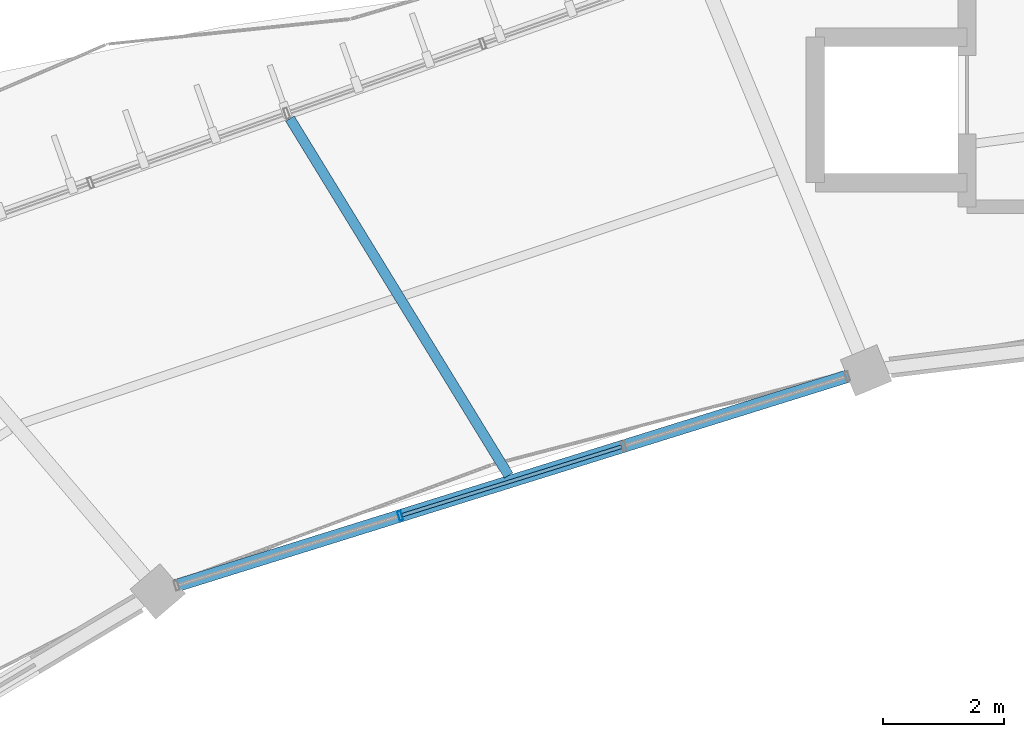
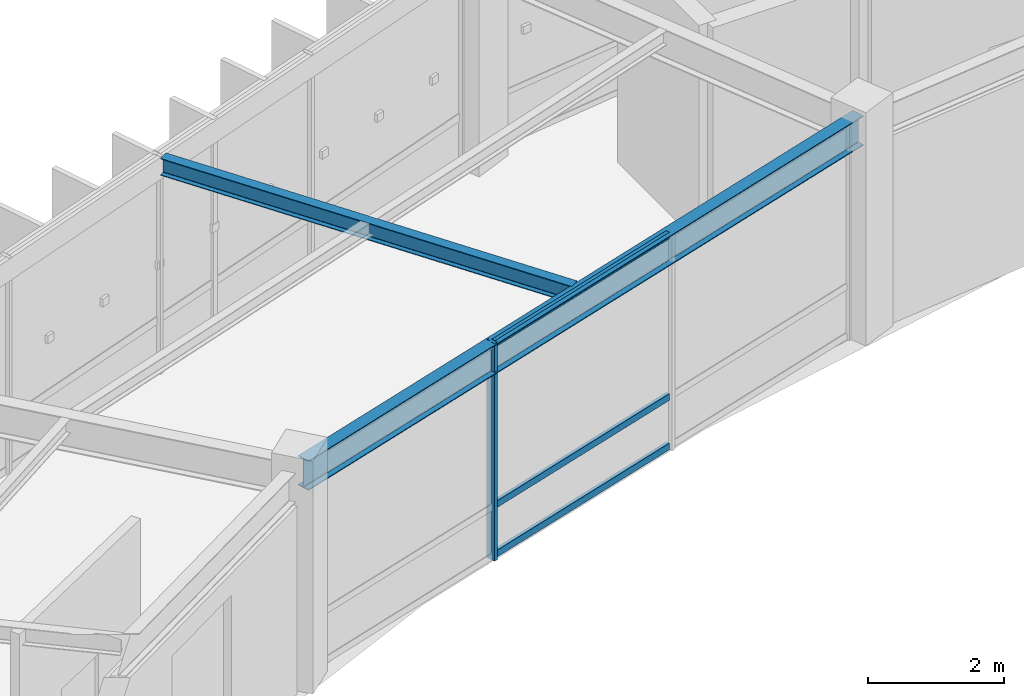
# One storey, part 61 of 138: 4 members, 2 beams, 1 element without a shape of its own.
"""IFC4 building model written with IfcOpenShell, lengths in metres."""

import ifcopenshell
import ifcopenshell.guid

model = None  # the IFC model being written
_history = None  # IfcOwnerHistory: only IFC2X3 demands one
_inside = {}  # id of a spatial element -> (the spatial element, [elements in it])
_under = {}  # id of a project, library or spatial element -> (it, [spatial elements below it])
_declared = {}  # id of a project -> (the project, [libraries it declares])
_typed = {}  # id of a type object -> (the type object, [elements of that type])
_made_of = {}  # id of a material, layer set ... -> (it, [elements and type objects made of it])


def new_model(schema):
    """Start an empty IFC model of exactly this schema.

    Asked for "IFC4X3", IfcOpenShell would pick the latest addendum, in which some entities
    have other attributes; the version numbers below select the first issue.
    IFC2X3 requires an IfcOwnerHistory on every rooted entity: one is made here for all.
    """
    global model, _history
    if schema == "IFC4X3":
        model = ifcopenshell.file(schema_version=(4, 3, 0, 0))
    else:
        model = ifcopenshell.file(schema=schema)
    _inside.clear()
    _under.clear()
    _declared.clear()
    _typed.clear()
    _made_of.clear()
    _history = None
    if model.schema == "IFC2X3":
        org = make("IfcOrganization", Name="unknown")
        user = make(
            "IfcPersonAndOrganization",
            ThePerson=make("IfcPerson", FamilyName="unknown"),
            TheOrganization=org,
        )
        app = make(
            "IfcApplication",
            ApplicationDeveloper=org,
            Version="unknown",
            ApplicationFullName="unknown",
            ApplicationIdentifier="unknown",
        )
        _history = make(
            "IfcOwnerHistory",
            OwningUser=user,
            OwningApplication=app,
            ChangeAction="ADDED",
            CreationDate=0,
        )
    return model


def make(cls, **values):
    """One entity of the class cls with the attributes given. An attribute that is None is left unset."""
    return model.create_entity(
        cls, **{name: value for name, value in values.items() if value is not None}
    )


def rooted(cls, **values):
    """An entity with a GlobalId (a new one), such as an element, a storey or a relation."""
    return make(cls, GlobalId=ifcopenshell.guid.new(), OwnerHistory=_history, **values)


def si_unit(unit_type, name, prefix=None):
    """IfcSIUnit, for example si_unit("LENGTHUNIT", "METRE", prefix="MILLI")."""
    return make("IfcSIUnit", UnitType=unit_type, Prefix=prefix, Name=name)


def assignment(units):
    """IfcUnitAssignment: the units of a project."""
    return None if units is None else make("IfcUnitAssignment", Units=units)


def point(xyz):
    """IfcCartesianPoint."""
    return None if xyz is None else make("IfcCartesianPoint", Coordinates=xyz)


def direction(xyz):
    """IfcDirection."""
    return None if xyz is None else make("IfcDirection", DirectionRatios=xyz)


def frame(location, z_axis=None, x_axis=None):
    """IfcAxis2Placement3D, a coordinate frame: its origin and axes. An axis left out is left unset."""
    return make(
        "IfcAxis2Placement3D",
        Location=point(location),
        Axis=direction(z_axis),
        RefDirection=direction(x_axis),
    )


def frame_2d(location, x_axis=None):
    """IfcAxis2Placement2D, a coordinate frame in the plane: its origin and x axis."""
    return make(
        "IfcAxis2Placement2D", Location=point(location), RefDirection=direction(x_axis)
    )


def origin():
    """The frame at (0, 0, 0) with its axes left unset."""
    return frame((0.0, 0.0, 0.0))


def origin_2d():
    """The frame at (0, 0) in the plane with its x axis left unset."""
    return frame_2d((0.0, 0.0))


def place(relative_to, where):
    """IfcLocalPlacement: puts the frame where relative to a parent placement (None: the world)."""
    return make(
        "IfcLocalPlacement", PlacementRelTo=relative_to, RelativePlacement=where
    )


def context(
    kind, dimensions, precision=None, world=None, true_north=None, identifier=None
):
    """IfcGeometricRepresentationContext, for example the 3D "Model" context."""
    return make(
        "IfcGeometricRepresentationContext",
        ContextIdentifier=identifier,
        ContextType=kind,
        CoordinateSpaceDimension=dimensions,
        Precision=precision,
        WorldCoordinateSystem=world,
        TrueNorth=true_north,
    )


def subcontext(parent, identifier, kind, view, scale=None):
    """IfcGeometricRepresentationSubContext, for example "Body" below "Model"."""
    return make(
        "IfcGeometricRepresentationSubContext",
        ContextIdentifier=identifier,
        ContextType=kind,
        ParentContext=parent,
        TargetScale=scale,
        TargetView=view,
    )


def project(units=None, contexts=None):
    """IfcProject with its units and contexts."""
    return rooted(
        "IfcProject",
        Name="project",
        RepresentationContexts=contexts,
        UnitsInContext=assignment(units),
    )


def spatial(cls, under=None, at=None, **own):
    """A site, building, storey or space (cls), placed at a placement, below another one or the project."""
    s = rooted(cls, ObjectPlacement=at, **own)
    if under is not None:
        _under.setdefault(under.id(), (under, []))[1].append(s)
    return s


def profile(cls, at=None, kind="AREA", **sizes):
    """A parametric profile (cls). Its sizes go by their IFC names, for example OverallWidth=200.0."""
    return make(cls, ProfileType=kind, Position=at, **sizes)


def hollow_rectangle(**sizes):
    """IfcRectangleHollowProfileDef."""
    return profile("IfcRectangleHollowProfileDef", **sizes)


def i_section(**sizes):
    """IfcIShapeProfileDef."""
    return profile("IfcIShapeProfileDef", **sizes)


def extrude(swept, where, along, depth):
    """IfcExtrudedAreaSolid: the profile swept, set in the frame where, extruded along a direction by depth."""
    return make(
        "IfcExtrudedAreaSolid",
        SweptArea=swept,
        Position=where,
        ExtrudedDirection=direction(along),
        Depth=depth,
    )


def shape(context_of_items, identifier, shape_type, items):
    """IfcShapeRepresentation: the items that make up one representation, for example the "Body"."""
    return make(
        "IfcShapeRepresentation",
        ContextOfItems=context_of_items,
        RepresentationIdentifier=identifier,
        RepresentationType=shape_type,
        Items=items,
    )


def material(Name=None, Category=None):
    """IfcMaterial."""
    return make("IfcMaterial", Name=Name, Category=Category)


def material_profile(
    of_material, cross_section, Name=None, Category=None, Priority=None
):
    """IfcMaterialProfile: a cross section and its material."""
    return make(
        "IfcMaterialProfile",
        Name=Name,
        Material=of_material,
        Profile=cross_section,
        Priority=Priority,
        Category=Category,
    )


def profile_set(profiles, Name=None, composite=None):
    """IfcMaterialProfileSet."""
    return make(
        "IfcMaterialProfileSet",
        Name=Name,
        MaterialProfiles=profiles,
        CompositeProfile=composite,
    )


def made_of(thing, what):
    """Note that an element or type object is made of a material, layer set ...; save() writes the relation."""
    if what is not None:
        _made_of.setdefault(what.id(), (what, []))[1].append(thing)
    return thing


def type_object(cls, material=None, **own):
    """A type object (cls), such as IfcWallType, which elements share."""
    return made_of(rooted(cls, **own), material)


def element(
    cls,
    number,
    at=None,
    inside=None,
    cuts=None,
    type_object=None,
    material=None,
    context=None,
    identifier="Body",
    shape_type=None,
    held_by="IfcProductDefinitionShape",
    body=None,
    shapes=None,
    **own,
):
    """One element of the class cls, such as IfcWall. Its Tag is "e" and its number.

    at: its placement. inside: the storey or other place that contains it. cuts: it is an
    opening in that element (IfcRelVoidsElement). A single representation is given by context,
    identifier, shape_type and body (its items); several are given by shapes. held_by: the class
    of the entity that holds the representations. save() writes the other relations.
    """
    e = rooted(cls, Tag="e%d" % number, ObjectPlacement=at, **own)
    if body is not None:
        shapes = [shape(context, identifier, shape_type, body)]
    if shapes is not None:
        e.Representation = make(held_by, Representations=shapes)
    if inside is not None:
        _inside.setdefault(inside.id(), (inside, []))[1].append(e)
    if cuts is not None:
        rooted(
            "IfcRelVoidsElement", RelatingBuildingElement=cuts, RelatedOpeningElement=e
        )
    if type_object is not None:
        _typed.setdefault(type_object.id(), (type_object, []))[1].append(e)
    return made_of(e, material)


def aggregate(whole, parts):
    """IfcRelAggregates: a whole, such as a stair, and the parts it consists of."""
    return rooted("IfcRelAggregates", RelatingObject=whole, RelatedObjects=parts)


def save(model, path):
    """Write the relations noted so far, then the file.

    IfcRelAggregates (storeys below a building ...), IfcRelContainedInSpatialStructure (elements
    in a storey), IfcRelDefinesByType, IfcRelAssociatesMaterial and IfcRelDeclares: one each for
    every whole, place, type object, material and project.
    """
    for whole, parts in _under.values():
        aggregate(whole, parts)
    for where, things in _inside.values():
        rooted(
            "IfcRelContainedInSpatialStructure",
            RelatedElements=things,
            RelatingStructure=where,
        )
    for kind, things in _typed.values():
        rooted("IfcRelDefinesByType", RelatedObjects=things, RelatingType=kind)
    for what, things in _made_of.values():
        rooted("IfcRelAssociatesMaterial", RelatedObjects=things, RelatingMaterial=what)
    for by, libraries in _declared.values():
        rooted("IfcRelDeclares", RelatingContext=by, RelatedDefinitions=libraries)
    model.write(path)


model = new_model("IFC4")

# Units and contexts
model_context = context("Model", 3, precision=1e-05, world=origin(), true_north=direction((0.0, 1.0)))
body_context = subcontext(model_context, "Body", "Model", "MODEL_VIEW")
ifc_project = project(units=[si_unit("LENGTHUNIT", "METRE"), si_unit("AREAUNIT", "SQUARE_METRE"), si_unit("VOLUMEUNIT", "CUBIC_METRE"), si_unit("PLANEANGLEUNIT", "RADIAN"), si_unit("MASSUNIT", "GRAM", prefix="KILO"), si_unit("THERMODYNAMICTEMPERATUREUNIT", "KELVIN"), si_unit("POWERUNIT", "WATT")], contexts=[model_context])

# Site, building, storey
site_placement = place(None, origin())
site = spatial("IfcSite", under=ifc_project, at=site_placement, CompositionType="ELEMENT")
building_placement = place(site_placement, origin())
building = spatial("IfcBuilding", under=site, at=building_placement, Name="Darbajah Civic Hall", CompositionType="ELEMENT")
storey_placement = place(building_placement, frame((0.0, 0.0, 9.60009765625)))
storey = spatial("IfcBuildingStorey", under=building, at=storey_placement, Name="L02", CompositionType="ELEMENT", Elevation=9.60009765625)

# Curtain wall, members
ifc_material_1 = material(Name="Anodised Bronze Aluminium and Low-E Glazing", Category="aluminium")
curtain_wall_type = type_object("IfcCurtainWallType", Name="Unitised Curtain Wall CW-43 11600x3900", PredefinedType="USERDEFINED", material=ifc_material_1)
curtain_wall_placement = place(storey_placement, origin())
curtain_wall = element("IfcCurtainWall", 1, at=curtain_wall_placement, inside=storey, type_object=curtain_wall_type, Name="L02 unitised curtain wall CW-V1I-L02-06", ObjectType="UNITISED CURTAIN WALL", PredefinedType="USERDEFINED")
ifc_material_2 = material(Name="Anodised Bronze Aluminium", Category="aluminium")
ifc_material_profile_1 = material_profile(ifc_material_2, hollow_rectangle(XDim=0.06005859375, YDim=0.159912109375, WallThickness=0.00341796875, at=origin_2d()), Name="ALU MULLION 60x160")
ifc_profile_set_1 = profile_set([ifc_material_profile_1], Name="Anodised Bronze Aluminium")
member_type_1 = type_object("IfcMemberType", Name="ALU MULLION 60x160", PredefinedType="MULLION", material=ifc_profile_set_1)
member_1_placement = place(storey_placement, frame((64.653076171875, 108.004638671875, 0.0), z_axis=(0.0, 0.0, 1.0), x_axis=(-0.954604963513, -0.297874744877, 0.0)))
member_1 = element("IfcMember", 2, at=member_1_placement, type_object=member_type_1, Name="CW-V1I-L02-06 mullion 3", PredefinedType="MULLION", context=body_context, shape_type="SweptSolid", body=[
    extrude(hollow_rectangle(XDim=0.06005859375, YDim=0.159912109375, WallThickness=0.00341796875, at=origin_2d()), origin(), (0.0, 0.0, 1.0), 3.919921875),
])
ifc_material_profile_2 = material_profile(ifc_material_2, hollow_rectangle(XDim=0.06005859375, YDim=0.1201171875, WallThickness=0.003173828125, at=origin_2d()), Name="ALU TRANSOM 60x120")
ifc_profile_set_2 = profile_set([ifc_material_profile_2], Name="Anodised Bronze Aluminium")
member_type_2 = type_object("IfcMemberType", Name="ALU TRANSOM 60x120", PredefinedType="USERDEFINED", material=ifc_profile_set_2)
member_2_placement = place(storey_placement, frame((68.306396484375, 109.14453125, 0.059814453125), z_axis=(-0.954621917495, -0.297820406685, 0.0), x_axis=(0.297820406685, -0.954621917495, 0.0)))
member_2 = element("IfcMember", 3, at=member_2_placement, type_object=member_type_2, Name="CW-V1I-L02-06 transom 2.1", ObjectType="TRANSOM", PredefinedType="USERDEFINED", context=body_context, shape_type="SweptSolid", body=[
    extrude(hollow_rectangle(XDim=0.06005859375, YDim=0.1201171875, WallThickness=0.003173828125, at=origin_2d()), origin(), (0.0, 0.0, 1.0), 3.792236328125),
])
member_3_placement = place(storey_placement, frame((68.306396484375, 109.14453125, 0.949951171875), z_axis=(-0.954621917495, -0.297820406685, 0.0), x_axis=(0.297820406685, -0.954621917495, 0.0)))
member_3 = element("IfcMember", 4, at=member_3_placement, type_object=member_type_2, Name="CW-V1I-L02-06 transom 2.2", ObjectType="TRANSOM", PredefinedType="USERDEFINED", context=body_context, shape_type="SweptSolid", body=[
    extrude(hollow_rectangle(XDim=0.06005859375, YDim=0.1201171875, WallThickness=0.003173828125, at=origin_2d()), origin(), (0.0, 0.0, 1.0), 3.792236328125),
])
member_4_placement = place(storey_placement, frame((68.306396484375, 109.14453125, 3.85986328125), z_axis=(-0.954621917495, -0.297820406685, 0.0), x_axis=(0.297820406685, -0.954621917495, 0.0)))
member_4 = element("IfcMember", 5, at=member_4_placement, type_object=member_type_2, Name="CW-V1I-L02-06 transom 2.3", ObjectType="TRANSOM", PredefinedType="USERDEFINED", context=body_context, shape_type="SweptSolid", body=[
    extrude(hollow_rectangle(XDim=0.06005859375, YDim=0.1201171875, WallThickness=0.003173828125, at=origin_2d()), origin(), (0.0, 0.0, 1.0), 3.792236328125),
])
aggregate(curtain_wall, [member_1, member_2, member_3, member_4])

# Beams
ifc_material_3 = material(Name="Steel S355JR", Category="steel")
ifc_material_profile_3 = material_profile(ifc_material_3, i_section(OverallWidth=0.165771484375, OverallDepth=0.306640625, WebThickness=0.006591796875, FlangeThickness=0.01171875, FilletRadius=0.0087890625, at=origin_2d()), Name="UB 305x165x46")
ifc_profile_set_3 = profile_set([ifc_material_profile_3], Name="Steel S355JR")
beam_type_1 = type_object("IfcBeamType", Name="UB 305x165x46", PredefinedType="JOIST", material=ifc_profile_set_3)
beam_1_placement = place(storey_placement, frame((66.44091796875, 108.670166015625, 3.7666015625), z_axis=(-0.522498199588, 0.852640388105, 0.0), x_axis=(-0.852640388105, -0.522498199588, 0.0)))
element("IfcBeam", 6, at=beam_1_placement, inside=storey, type_object=beam_type_1, Name="L02 beam SJ-305", PredefinedType="JOIST", context=body_context, shape_type="SweptSolid", body=[
    extrude(i_section(OverallWidth=0.165771484375, OverallDepth=0.306640625, WebThickness=0.006591796875, FlangeThickness=0.01171875, FilletRadius=0.0087890625, at=origin_2d()), origin(), (0.0, 0.0, 1.0), 6.9033203125),
])
ifc_material_profile_4 = material_profile(ifc_material_3, i_section(OverallWidth=0.209228515625, OverallDepth=0.533203125, WebThickness=0.010009765625, FlangeThickness=0.015625, FilletRadius=0.0126953125, at=origin_2d()), Name="UB 533x210x92")
ifc_profile_set_4 = profile_set([ifc_material_profile_4], Name="Steel S355JR")
beam_type_2 = type_object("IfcBeamType", Name="UB 533x210x92", PredefinedType="BEAM", material=ifc_profile_set_4)
beam_2_placement = place(storey_placement, frame((72.26220703125, 110.378662109375, 3.6533203125), z_axis=(-0.954619766764, -0.297827300468, 0.0), x_axis=(0.297827300468, -0.954619766764, 0.0)))
element("IfcBeam", 7, at=beam_2_placement, inside=storey, type_object=beam_type_2, Name="L02 beam SB-533", PredefinedType="BEAM", context=body_context, shape_type="SweptSolid", body=[
    extrude(i_section(OverallWidth=0.209228515625, OverallDepth=0.533203125, WebThickness=0.010009765625, FlangeThickness=0.015625, FilletRadius=0.0126953125, at=origin_2d()), origin(), (0.0, 0.0, 1.0), 12.07958984375),
])

save(model, "model.ifc")
